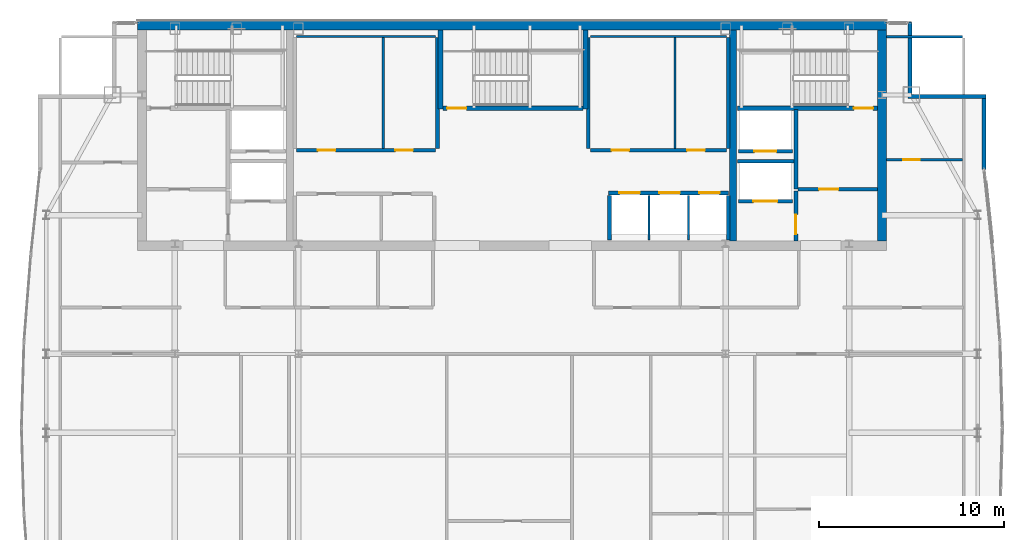
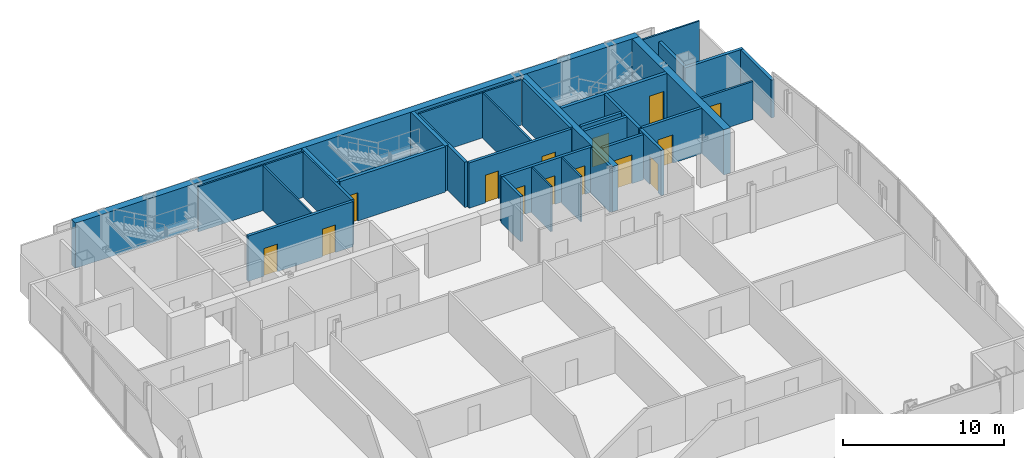
# One storey, part 24 of 27: 32 walls, 14 doors, 14 openings.
"""IFC4 building model written with IfcOpenShell, lengths in metres."""

from ifc_helpers import new_model, si_unit, direction, frame, frame_2d, origin, place, context, subcontext, project, spatial, rectangle, extrude, material, layer, layer_set, type_object, element, fill, save


model = new_model("IFC4")

# Units and contexts
model_context = context("Model", 3, precision=1e-05, world=origin(), true_north=direction((0.0, 1.0)))
body_context = subcontext(model_context, "Body", "Model", "MODEL_VIEW")
ifc_project = project(units=[si_unit("LENGTHUNIT", "METRE"), si_unit("AREAUNIT", "SQUARE_METRE"), si_unit("VOLUMEUNIT", "CUBIC_METRE"), si_unit("PLANEANGLEUNIT", "RADIAN"), si_unit("MASSUNIT", "GRAM", prefix="KILO")], contexts=[model_context])

# Site, building, storey
site_placement = place(None, origin())
site = spatial("IfcSite", under=ifc_project, at=site_placement, CompositionType="ELEMENT")
building_placement = place(site_placement, origin())
building = spatial("IfcBuilding", under=site, at=building_placement, Name="Khoronbel Lancet Exchange", CompositionType="ELEMENT")
storey_placement = place(building_placement, frame((0.0, 0.0, 343.39990234375)))
storey = spatial("IfcBuildingStorey", under=building, at=storey_placement, Name="L89", CompositionType="ELEMENT", Elevation=343.39990234375)

# Walls
ifc_material_1 = material(Name="Concrete C60/75", Category="concrete")
ifc_layer_1 = layer(ifc_material_1, 0.5, Name="Concrete C60/75")
ifc_layer_set_1 = layer_set([ifc_layer_1], Name="Concrete C60/75")
wall_type_1 = type_object("IfcWallType", Name="WL-CW4", PredefinedType="SHEAR", material=ifc_layer_set_1)
wall_1_placement = place(storey_placement, frame((16.199951171875, 53.449951171875, 0.0), z_axis=(0.0, 0.0, 1.0), x_axis=(1.0, 0.0, 0.0)))
element("IfcWall", 1, at=wall_1_placement, inside=storey, type_object=wall_type_1, Name="Level L89 rear core north shear wall", PredefinedType="SHEAR", context=body_context, shape_type="SweptSolid", body=[
    extrude(rectangle(XDim=40.5, YDim=0.5, at=frame_2d((20.25, 0.0))), origin(), (0.0, 0.0, 1.0), 3.440185546875),
])
wall_2_placement = place(storey_placement, frame((56.449951171875, 53.199951171875, 0.0), z_axis=(0.0, 0.0, 1.0), x_axis=(0.0, -1.0, 0.0)))
element("IfcWall", 2, at=wall_2_placement, inside=storey, type_object=wall_type_1, Name="Level L89 rear core east shear wall", PredefinedType="SHEAR", context=body_context, shape_type="SweptSolid", body=[
    extrude(rectangle(XDim=11.39990234375, YDim=0.5, at=frame_2d((5.699951171875, 0.0))), origin(), (0.0, 0.0, 1.0), 3.440185546875),
])
ifc_material_2 = material(Name="Precast concrete C40/50", Category="concrete")
ifc_layer_2 = layer(ifc_material_2, 0.25, Name="Precast concrete C40/50")
ifc_layer_set_2 = layer_set([ifc_layer_2], Name="Precast concrete C40/50")
wall_type_2 = type_object("IfcWallType", Name="WL-EXT250", PredefinedType="SOLIDWALL", material=ifc_layer_set_2)
wall_3_placement = place(storey_placement, frame((57.9599609375, 53.6298828125, 0.0), z_axis=(0.0, 0.0, 1.0), x_axis=(0.0, -1.0, 0.0)))
element("IfcWall", 3, at=wall_3_placement, inside=storey, type_object=wall_type_2, Name="Level L89 notched-corner limestone pier 14", PredefinedType="SOLIDWALL", context=body_context, shape_type="SweptSolid", body=[
    extrude(rectangle(XDim=3.909912109375, YDim=0.219970703125, at=frame_2d((1.955078125, 0.0))), origin(), (0.0, 0.0, 1.0), 2.880126953125),
])
wall_4_placement = place(storey_placement, frame((57.85009765625, 49.610107421875, 0.0), z_axis=(0.0, 0.0, 1.0), x_axis=(1.0, 0.0, 0.0)))
element("IfcWall", 4, at=wall_4_placement, inside=storey, type_object=wall_type_2, Name="Level L89 notched-corner limestone pier 15", PredefinedType="SOLIDWALL", context=body_context, shape_type="SweptSolid", body=[
    extrude(rectangle(XDim=4.219970703125, YDim=0.219970703125, at=frame_2d((2.10986328125, 0.0))), origin(), (0.0, 0.0, 1.0), 2.880126953125),
])
wall_5_placement = place(storey_placement, frame((61.9599609375, 49.5, 0.0), z_axis=(0.0, 0.0, 1.0), x_axis=(0.0, -1.0, 0.0)))
element("IfcWall", 5, at=wall_5_placement, inside=storey, type_object=wall_type_2, Name="Level L89 notched-corner limestone pier 16", PredefinedType="SOLIDWALL", context=body_context, shape_type="SweptSolid", body=[
    extrude(rectangle(XDim=3.82470703125, YDim=0.219970703125, at=frame_2d((1.912353515625, 0.0))), origin(), (0.0, 0.0, 1.0), 2.880126953125),
])

# Wall, opening, door
ifc_material_3 = material(Name="Acoustic Metal-Stud & Mineral-Wool Gypsum Partition 120 mm", Category="gypsum")
ifc_layer_3 = layer(ifc_material_3, 0.1201171875, Name="Acoustic Metal-Stud & Mineral-Wool Gypsum Partition 120 mm")
ifc_layer_set_3 = layer_set([ifc_layer_3], Name="Acoustic Metal-Stud & Mineral-Wool Gypsum Partition 120 mm")
wall_type_3 = type_object("IfcWallType", Name="WL-PRT120", PredefinedType="PARTITIONING", material=ifc_layer_set_3)
wall_6_placement = place(storey_placement, frame((56.699951171875, 46.199951171875, 0.0), z_axis=(0.0, 0.0, 1.0), x_axis=(1.0, 0.0, 0.0)))
wall_6 = element("IfcWall", 6, at=wall_6_placement, inside=storey, type_object=wall_type_3, Name="Level L89 interior partition PW-NE-H", PredefinedType="PARTITIONING", context=body_context, shape_type="SweptSolid", body=[
    extrude(rectangle(XDim=4.10498046875, YDim=0.14990234375, at=frame_2d((2.052490234375, 0.0))), origin(), (0.0, 0.0, 1.0), 2.880126953125),
])
opening_1_placement = place(wall_6_placement, frame((0.89990234375, 0.0, 0.0)))
opening_1 = element("IfcOpeningElement", 7, at=opening_1_placement, cuts=wall_6, Name="Opening D5", PredefinedType="OPENING", context=body_context, shape_type="SweptSolid", body=[
    extrude(rectangle(XDim=0.89990234375, YDim=2.050048828125, at=frame_2d((0.449951171875, 1.02490234375))), frame((0.0, 0.0849609375, 0.0), z_axis=(0.0, -1.0, 0.0), x_axis=(1.0, 0.0, 0.0)), (0.0, 0.0, 1.0), 0.169921875),
])
ifc_material_4 = material(Name="Acoustic Timber Pantry & Support Door", Category="wood")
door_type_1 = type_object("IfcDoorType", Name="DR-D5", OperationType="NOTDEFINED", PredefinedType="DOOR", material=ifc_material_4)
door_1_placement = place(opening_1_placement, origin())
door_1 = element("IfcDoor", 8, at=door_1_placement, inside=storey, type_object=door_type_1, Name="NE north room door L89-1", OperationType="SINGLE_SWING_LEFT", OverallHeight=2.050048828125, OverallWidth=0.89990234375, PredefinedType="DOOR", context=body_context, shape_type="SweptSolid", body=[
    extrude(rectangle(XDim=0.89990234375, YDim=2.050048828125, at=frame_2d((0.449951171875, 1.02490234375))), frame((0.0, 0.02490234375, 0.0), z_axis=(0.0, -1.0, 0.0), x_axis=(1.0, 0.0, 0.0)), (0.0, 0.0, 1.0), 0.050048828125),
])
fill(opening_1, door_1)

# Walls
wall_7_placement = place(storey_placement, frame((56.699951171875, 52.840087890625, 0.0), z_axis=(0.0, 0.0, 1.0), x_axis=(1.0, 0.0, 0.0)))
element("IfcWall", 9, at=wall_7_placement, inside=storey, type_object=wall_type_3, Name="Level L89 interior partition PW-LIN-NE", PredefinedType="PARTITIONING", context=body_context, shape_type="SweptSolid", body=[
    extrude(rectangle(XDim=4.10498046875, YDim=0.1201171875, at=frame_2d((2.052490234375, 0.0))), origin(), (0.0, 0.0, 1.0), 3.440185546875),
])
ifc_material_5 = material(Name="Fire-Rated Metal-Stud & Mineral-Wool Gypsum Partition 120 mm", Category="gypsum")
ifc_layer_4 = layer(ifc_material_5, 0.1201171875, Name="Fire-Rated Metal-Stud & Mineral-Wool Gypsum Partition 120 mm")
ifc_layer_set_4 = layer_set([ifc_layer_4], Name="Fire-Rated Metal-Stud & Mineral-Wool Gypsum Partition 120 mm")
wall_type_4 = type_object("IfcWallType", Name="WL-PRT120F", PredefinedType="PARTITIONING", material=ifc_layer_set_4)
wall_8_placement = place(storey_placement, frame((24.804931640625, 52.860107421875, 0.0), z_axis=(0.0, 0.0, 1.0), x_axis=(1.0, 0.0, 0.0)))
element("IfcWall", 10, at=wall_8_placement, inside=storey, type_object=wall_type_4, Name="Level L89 interior partition CW-PL-RN", PredefinedType="PARTITIONING", context=body_context, shape_type="SweptSolid", body=[
    extrude(rectangle(XDim=7.510009765625, YDim=0.1201171875, at=frame_2d((3.7548828125, 0.0))), origin(), (0.0, 0.0, 1.0), 3.440185546875),
])
wall_9_placement = place(storey_placement, frame((29.486328125, 46.804931640625, 0.0), z_axis=(0.0, 0.0, 1.0), x_axis=(0.0, 1.0, 0.0)))
element("IfcWall", 11, at=wall_9_placement, inside=storey, type_object=wall_type_4, Name="Level L89 interior partition CW-PL-RS2", PredefinedType="PARTITIONING", context=body_context, shape_type="SweptSolid", body=[
    extrude(rectangle(XDim=5.989990234375, YDim=0.1201171875, at=frame_2d((2.9951171875, 0.0))), origin(), (0.0, 0.0, 1.0), 3.440185546875),
])
wall_10_placement = place(storey_placement, frame((40.68505859375, 52.860107421875, 0.0), z_axis=(0.0, 0.0, 1.0), x_axis=(1.0, 0.0, 0.0)))
element("IfcWall", 12, at=wall_10_placement, inside=storey, type_object=wall_type_4, Name="Level L89 interior partition CW-PH-RN", PredefinedType="PARTITIONING", context=body_context, shape_type="SweptSolid", body=[
    extrude(rectangle(XDim=7.349853515625, YDim=0.1201171875, at=frame_2d((3.6748046875, 0.0))), origin(), (0.0, 0.0, 1.0), 3.440185546875),
])
wall_11_placement = place(storey_placement, frame((45.26708984375, 46.804931640625, 0.0), z_axis=(0.0, 0.0, 1.0), x_axis=(0.0, 1.0, 0.0)))
element("IfcWall", 13, at=wall_11_placement, inside=storey, type_object=wall_type_4, Name="Level L89 interior partition CW-PH-RS2", PredefinedType="PARTITIONING", context=body_context, shape_type="SweptSolid", body=[
    extrude(rectangle(XDim=5.989990234375, YDim=0.1201171875, at=frame_2d((2.9951171875, 0.0))), origin(), (0.0, 0.0, 1.0), 3.440185546875),
])
for number, where, z_axis, x_axis, name in (
    (14, (43.860107421875, 41.85009765625, 0.0), (0.0, 0.0, 1.0), (0.0, 1.0, 0.0), "Level L89 interior partition CW-PX-D1"),
    (15, (46.0, 41.85009765625, 0.0), (0.0, 0.0, 1.0), (0.0, 1.0, 0.0), "Level L89 interior partition CW-PX-D2"),
):
    element("IfcWall", number, at=place(storey_placement, frame(where, z_axis=z_axis, x_axis=x_axis)), inside=storey, type_object=wall_type_4, Name=name, PredefinedType="PARTITIONING", context=body_context, shape_type="SweptSolid", body=[
        extrude(rectangle(XDim=2.39990234375, YDim=0.1201171875, at=frame_2d((1.199951171875, 0.0))), origin(), (0.0, 0.0, 1.0), 3.440185546875),
    ])

# Wall, openings, doors
ifc_material_6 = material(Name="Autoclaved Aerated Concrete Blockwork 200 mm", Category="masonry")
ifc_layer_5 = layer(ifc_material_6, 0.199951171875, Name="Autoclaved Aerated Concrete Blockwork 200 mm")
ifc_layer_set_5 = layer_set([ifc_layer_5], Name="Autoclaved Aerated Concrete Blockwork 200 mm")
wall_type_5 = type_object("IfcWallType", Name="WL-PRT200", PredefinedType="PARTITIONING", material=ifc_layer_set_5)
wall_12_placement = place(storey_placement, frame((41.679931640625, 44.39990234375, 0.0), z_axis=(0.0, 0.0, 1.0), x_axis=(1.0, 0.0, 0.0)))
wall_12 = element("IfcWall", 16, at=wall_12_placement, inside=storey, type_object=wall_type_5, Name="Level L89 elevator hoistway landing front wall PXE", PredefinedType="PARTITIONING", context=body_context, shape_type="SweptSolid", body=[
    extrude(rectangle(XDim=6.47998046875, YDim=0.199951171875, at=frame_2d((3.239990234375, 0.0))), origin(), (0.0, 0.0, 1.0), 3.440185546875),
])
opening_2_placement = place(wall_12_placement, frame((0.580078125, 0.0, 0.0)))
opening_2 = element("IfcOpeningElement", 17, at=opening_2_placement, cuts=wall_12, Name="Opening LD-PX1", PredefinedType="OPENING", context=body_context, shape_type="SweptSolid", body=[
    extrude(rectangle(XDim=1.10009765625, YDim=2.179931640625, at=frame_2d((0.550048828125, 1.08984375))), frame((0.0, 0.10986328125, 0.0), z_axis=(0.0, -1.0, 0.0), x_axis=(1.0, 0.0, 0.0)), (0.0, 0.0, 1.0), 0.219970703125),
])
opening_3_placement = place(wall_12_placement, frame((2.739990234375, 0.0, 0.0)))
opening_3 = element("IfcOpeningElement", 18, at=opening_3_placement, cuts=wall_12, Name="Opening LD-PX2", PredefinedType="OPENING", context=body_context, shape_type="SweptSolid", body=[
    extrude(rectangle(XDim=1.10009765625, YDim=2.179931640625, at=frame_2d((0.550048828125, 1.08984375))), frame((0.0, 0.10986328125, 0.0), z_axis=(0.0, -1.0, 0.0), x_axis=(1.0, 0.0, 0.0)), (0.0, 0.0, 1.0), 0.219970703125),
])
opening_4_placement = place(wall_12_placement, frame((4.89990234375, 0.0, 0.0)))
opening_4 = element("IfcOpeningElement", 19, at=opening_4_placement, cuts=wall_12, Name="Opening LD-PX3", PredefinedType="OPENING", context=body_context, shape_type="SweptSolid", body=[
    extrude(rectangle(XDim=1.10009765625, YDim=2.179931640625, at=frame_2d((0.550048828125, 1.08984375))), frame((0.0, 0.10986328125, 0.0), z_axis=(0.0, -1.0, 0.0), x_axis=(1.0, 0.0, 0.0)), (0.0, 0.0, 1.0), 0.219970703125),
])
ifc_material_7 = material(Name="Brushed Bronze Bi-Parting Elevator Landing Door", Category="steel")
door_type_2 = type_object("IfcDoorType", Name="DR-LD-PAX", OperationType="NOTDEFINED", PredefinedType="DOOR", material=ifc_material_7)
door_2_placement = place(opening_2_placement, origin())
door_2 = element("IfcDoor", 20, at=door_2_placement, inside=storey, type_object=door_type_2, Name="Elevator landing sliding door LD-PX1 L89", OperationType="SLIDING_TO_LEFT", OverallHeight=2.179931640625, OverallWidth=1.10009765625, PredefinedType="DOOR", context=body_context, shape_type="SweptSolid", body=[
    extrude(rectangle(XDim=1.10009765625, YDim=2.179931640625, at=frame_2d((0.550048828125, 1.08984375))), frame((0.0, 0.02490234375, 0.0), z_axis=(0.0, -1.0, 0.0), x_axis=(1.0, 0.0, 0.0)), (0.0, 0.0, 1.0), 0.050048828125),
])
fill(opening_2, door_2)
door_3_placement = place(opening_3_placement, origin())
door_3 = element("IfcDoor", 21, at=door_3_placement, inside=storey, type_object=door_type_2, Name="Elevator landing sliding door LD-PX2 L89", OperationType="SLIDING_TO_LEFT", OverallHeight=2.179931640625, OverallWidth=1.10009765625, PredefinedType="DOOR", context=body_context, shape_type="SweptSolid", body=[
    extrude(rectangle(XDim=1.10009765625, YDim=2.179931640625, at=frame_2d((0.550048828125, 1.08984375))), frame((0.0, 0.02490234375, 0.0), z_axis=(0.0, -1.0, 0.0), x_axis=(1.0, 0.0, 0.0)), (0.0, 0.0, 1.0), 0.050048828125),
])
fill(opening_3, door_3)
door_4_placement = place(opening_4_placement, origin())
door_4 = element("IfcDoor", 22, at=door_4_placement, inside=storey, type_object=door_type_2, Name="Elevator landing sliding door LD-PX3 L89", OperationType="SLIDING_TO_LEFT", OverallHeight=2.179931640625, OverallWidth=1.10009765625, PredefinedType="DOOR", context=body_context, shape_type="SweptSolid", body=[
    extrude(rectangle(XDim=1.10009765625, YDim=2.179931640625, at=frame_2d((0.550048828125, 1.08984375))), frame((0.0, 0.02490234375, 0.0), z_axis=(0.0, -1.0, 0.0), x_axis=(1.0, 0.0, 0.0)), (0.0, 0.0, 1.0), 0.050048828125),
])
fill(opening_4, door_4)

# Wall, opening, door
wall_13_placement = place(storey_placement, frame((51.610107421875, 43.949951171875, 0.0), z_axis=(0.0, 0.0, 1.0), x_axis=(-1.0, 0.0, 0.0)))
wall_13 = element("IfcWall", 23, at=wall_13_placement, inside=storey, type_object=wall_type_5, Name="Level L89 elevator hoistway landing front wall SVLE", PredefinedType="PARTITIONING", context=body_context, shape_type="SweptSolid", body=[
    extrude(rectangle(XDim=2.920166015625, YDim=0.199951171875, at=frame_2d((1.4599609375, 0.0))), origin(), (0.0, 0.0, 1.0), 3.440185546875),
])
opening_5_placement = place(wall_13_placement, frame((0.81005859375, 0.0, 0.0)))
opening_5 = element("IfcOpeningElement", 24, at=opening_5_placement, cuts=wall_13, Name="Opening LD-SVL2", PredefinedType="OPENING", context=body_context, shape_type="SweptSolid", body=[
    extrude(rectangle(XDim=1.300048828125, YDim=2.179931640625, at=frame_2d((0.64990234375, 1.08984375))), frame((0.0, 0.10986328125, 0.0), z_axis=(0.0, -1.0, 0.0), x_axis=(1.0, 0.0, 0.0)), (0.0, 0.0, 1.0), 0.219970703125),
])
ifc_material_8 = material(Name="Heavy-Duty Bi-Parting Goods Lift Landing Door", Category="steel")
door_type_3 = type_object("IfcDoorType", Name="DR-LD-SVL", OperationType="NOTDEFINED", PredefinedType="DOOR", material=ifc_material_8)
door_5_placement = place(opening_5_placement, origin())
door_5 = element("IfcDoor", 25, at=door_5_placement, inside=storey, type_object=door_type_3, Name="Elevator landing sliding door LD-SVL2 L89", OperationType="SLIDING_TO_LEFT", OverallHeight=2.179931640625, OverallWidth=1.300048828125, PredefinedType="DOOR", context=body_context, shape_type="SweptSolid", body=[
    extrude(rectangle(XDim=1.300048828125, YDim=2.179931640625, at=frame_2d((0.64990234375, 1.08984375))), frame((0.0, 0.02490234375, 0.0), z_axis=(0.0, -1.0, 0.0), x_axis=(1.0, 0.0, 0.0)), (0.0, 0.0, 1.0), 0.050048828125),
])
fill(opening_5, door_5)

wall_14_placement = place(storey_placement, frame((51.610107421875, 46.64990234375, 0.0), z_axis=(0.0, 0.0, 1.0), x_axis=(-1.0, 0.0, 0.0)))
wall_14 = element("IfcWall", 26, at=wall_14_placement, inside=storey, type_object=wall_type_5, Name="Level L89 elevator hoistway landing front wall FFLE", PredefinedType="PARTITIONING", context=body_context, shape_type="SweptSolid", body=[
    extrude(rectangle(XDim=2.920166015625, YDim=0.199951171875, at=frame_2d((1.4599609375, 0.0))), origin(), (0.0, 0.0, 1.0), 3.440185546875),
])
opening_6_placement = place(wall_14_placement, frame((0.860107421875, 0.0, 0.0)))
opening_6 = element("IfcOpeningElement", 27, at=opening_6_placement, cuts=wall_14, Name="Opening LD-FFL2", PredefinedType="OPENING", context=body_context, shape_type="SweptSolid", body=[
    extrude(rectangle(XDim=1.199951171875, YDim=2.179931640625, at=frame_2d((0.60009765625, 1.08984375))), frame((0.0, 0.10986328125, 0.0), z_axis=(0.0, -1.0, 0.0), x_axis=(1.0, 0.0, 0.0)), (0.0, 0.0, 1.0), 0.219970703125),
])
ifc_material_9 = material(Name="Fire-Rated Stainless Bi-Parting Firefighting Lift Door", Category="steel")
door_type_4 = type_object("IfcDoorType", Name="DR-LD-FFL", OperationType="NOTDEFINED", PredefinedType="DOOR", material=ifc_material_9)
door_6_placement = place(opening_6_placement, origin())
door_6 = element("IfcDoor", 28, at=door_6_placement, inside=storey, type_object=door_type_4, Name="Elevator landing sliding door LD-FFL2 L89", OperationType="SLIDING_TO_LEFT", OverallHeight=2.179931640625, OverallWidth=1.199951171875, PredefinedType="DOOR", context=body_context, shape_type="SweptSolid", body=[
    extrude(rectangle(XDim=1.199951171875, YDim=2.179931640625, at=frame_2d((0.60009765625, 1.08984375))), frame((0.0, 0.02490234375, 0.0), z_axis=(0.0, -1.0, 0.0), x_axis=(1.0, 0.0, 0.0)), (0.0, 0.0, 1.0), 0.050048828125),
])
fill(opening_6, door_6)

# Wall
wall_15_placement = place(storey_placement, frame((51.800048828125, 44.60009765625, 0.0), z_axis=(0.0, 0.0, 1.0), x_axis=(0.0, 1.0, 0.0)))
element("IfcWall", 29, at=wall_15_placement, inside=storey, type_object=wall_type_5, Name="Level L89 interior partition CW-FFLE-W", PredefinedType="PARTITIONING", context=body_context, shape_type="SweptSolid", body=[
    extrude(rectangle(XDim=4.2998046875, YDim=0.199951171875, at=frame_2d((2.14990234375, 0.0))), origin(), (0.0, 0.0, 1.0), 3.440185546875),
])

# Wall, opening, door
wall_16_placement = place(storey_placement, frame((51.89990234375, 44.60009765625, 0.0), z_axis=(0.0, 0.0, 1.0), x_axis=(1.0, 0.0, 0.0)))
wall_16 = element("IfcWall", 30, at=wall_16_placement, inside=storey, type_object=wall_type_5, Name="Level L89 interior partition CW-FFLE-S", PredefinedType="PARTITIONING", context=body_context, shape_type="SweptSolid", body=[
    extrude(rectangle(XDim=4.300048828125, YDim=0.199951171875, at=frame_2d((2.14990234375, 0.0))), origin(), (0.0, 0.0, 1.0), 3.440185546875),
])
opening_7_placement = place(wall_16_placement, frame((1.14990234375, 0.0, 0.0)))
opening_7 = element("IfcOpeningElement", 31, at=opening_7_placement, cuts=wall_16, Name="Opening FD1", PredefinedType="OPENING", context=body_context, shape_type="SweptSolid", body=[
    extrude(rectangle(XDim=1.050048828125, YDim=2.14990234375, at=frame_2d((0.52490234375, 1.074951171875))), frame((0.0, 0.10986328125, 0.0), z_axis=(0.0, -1.0, 0.0), x_axis=(1.0, 0.0, 0.0)), (0.0, 0.0, 1.0), 0.219970703125),
])
ifc_material_10 = material(Name="Fire-Rated Painted Steel Door Assembly", Category="steel")
door_type_5 = type_object("IfcDoorType", Name="DR-FD1", OperationType="NOTDEFINED", PredefinedType="DOOR", material=ifc_material_10)
door_7_placement = place(opening_7_placement, origin())
door_7 = element("IfcDoor", 32, at=door_7_placement, inside=storey, type_object=door_type_5, Name="East firefighting lobby FD90S door L89-1", OperationType="SINGLE_SWING_LEFT", OverallHeight=2.14990234375, OverallWidth=1.050048828125, PredefinedType="DOOR", context=body_context, shape_type="SweptSolid", body=[
    extrude(rectangle(XDim=1.050048828125, YDim=2.14990234375, at=frame_2d((0.52490234375, 1.074951171875))), frame((0.0, 0.02490234375, 0.0), z_axis=(0.0, -1.0, 0.0), x_axis=(1.0, 0.0, 0.0)), (0.0, 0.0, 1.0), 0.050048828125),
])
fill(opening_7, door_7)

# Wall
wall_17_placement = place(storey_placement, frame((48.6298828125, 46.1201171875, 0.0), z_axis=(0.0, 0.0, 1.0), x_axis=(1.0, 0.0, 0.0)))
element("IfcWall", 33, at=wall_17_placement, inside=storey, type_object=wall_type_5, Name="Level L89 interior partition CW-FFL2-S", PredefinedType="PARTITIONING", context=body_context, shape_type="SweptSolid", body=[
    extrude(rectangle(XDim=3.070068359375, YDim=0.199951171875, at=frame_2d((1.53515625, 0.0))), origin(), (0.0, 0.0, 1.0), 3.440185546875),
])

# Wall, opening, door
wall_18_placement = place(storey_placement, frame((51.800048828125, 41.800048828125, 0.0), z_axis=(0.0, 0.0, 1.0), x_axis=(0.0, 1.0, 0.0)))
wall_18 = element("IfcWall", 34, at=wall_18_placement, inside=storey, type_object=wall_type_5, Name="Level L89 interior partition CW-SVLE-E", PredefinedType="PARTITIONING", context=body_context, shape_type="SweptSolid", body=[
    extrude(rectangle(XDim=2.695068359375, YDim=0.199951171875, at=frame_2d((1.34765625, 0.0))), origin(), (0.0, 0.0, 1.0), 3.440185546875),
])
opening_8_placement = place(wall_18_placement, frame((0.3798828125, 0.0, 0.0)))
opening_8 = element("IfcOpeningElement", 35, at=opening_8_placement, cuts=wall_18, Name="Opening FD1", PredefinedType="OPENING", context=body_context, shape_type="SweptSolid", body=[
    extrude(rectangle(XDim=1.050048828125, YDim=2.14990234375, at=frame_2d((0.52490234375, 1.074951171875))), frame((0.0, 0.10986328125, 0.0), z_axis=(0.0, -1.0, 0.0), x_axis=(1.0, 0.0, 0.0)), (0.0, 0.0, 1.0), 0.219970703125),
])
door_8_placement = place(opening_8_placement, origin())
door_8 = element("IfcDoor", 36, at=door_8_placement, inside=storey, type_object=door_type_5, Name="East service lift lobby door L89-1", OperationType="SINGLE_SWING_RIGHT", OverallHeight=2.14990234375, OverallWidth=1.050048828125, PredefinedType="DOOR", context=body_context, shape_type="SweptSolid", body=[
    extrude(rectangle(XDim=1.050048828125, YDim=2.14990234375, at=frame_2d((0.52490234375, 1.074951171875))), frame((0.0, 0.02490234375, 0.0), z_axis=(0.0, -1.0, 0.0), x_axis=(1.0, 0.0, 0.0)), (0.0, 0.0, 1.0), 0.050048828125),
])
fill(opening_8, door_8)

# Wall
wall_19_placement = place(storey_placement, frame((32.419921875, 46.804931640625, 0.0), z_axis=(0.0, 0.0, 1.0), x_axis=(0.0, 1.0, 0.0)))
element("IfcWall", 37, at=wall_19_placement, inside=storey, type_object=wall_type_5, Name="Level L89 interior partition CW-PL-RE", PredefinedType="PARTITIONING", context=body_context, shape_type="SweptSolid", body=[
    extrude(rectangle(XDim=5.989990234375, YDim=0.199951171875, at=frame_2d((2.9951171875, 0.0))), origin(), (0.0, 0.0, 1.0), 3.440185546875),
])

# Wall, openings, doors
wall_20_placement = place(storey_placement, frame((24.804931640625, 46.699951171875, 0.0), z_axis=(0.0, 0.0, 1.0), x_axis=(1.0, 0.0, 0.0)))
wall_20 = element("IfcWall", 38, at=wall_20_placement, inside=storey, type_object=wall_type_5, Name="Level L89 interior partition CW-PL-RF", PredefinedType="PARTITIONING", context=body_context, shape_type="SweptSolid", body=[
    extrude(rectangle(XDim=7.510009765625, YDim=0.199951171875, at=frame_2d((3.7548828125, 0.0))), origin(), (0.0, 0.0, 1.0), 3.440185546875),
])
opening_9_placement = place(wall_20_placement, frame((1.14990234375, 0.0, 0.0)))
opening_9 = element("IfcOpeningElement", 39, at=opening_9_placement, cuts=wall_20, Name="Opening FD3", PredefinedType="OPENING", context=body_context, shape_type="SweptSolid", body=[
    extrude(rectangle(XDim=0.949951171875, YDim=2.10009765625, at=frame_2d((0.47509765625, 1.050048828125))), frame((0.0, 0.10986328125, 0.0), z_axis=(0.0, -1.0, 0.0), x_axis=(1.0, 0.0, 0.0)), (0.0, 0.0, 1.0), 0.219970703125),
])
opening_10_placement = place(wall_20_placement, frame((5.33642578125, 0.0, 0.0)))
opening_10 = element("IfcOpeningElement", 40, at=opening_10_placement, cuts=wall_20, Name="Opening FD3", PredefinedType="OPENING", context=body_context, shape_type="SweptSolid", body=[
    extrude(rectangle(XDim=0.949951171875, YDim=2.10009765625, at=frame_2d((0.47509765625, 1.050048828125))), frame((0.0, 0.10986328125, 0.0), z_axis=(0.0, -1.0, 0.0), x_axis=(1.0, 0.0, 0.0)), (0.0, 0.0, 1.0), 0.219970703125),
])
ifc_material_11 = material(Name="Fire-Rated Steel Plant & Riser Door Assembly", Category="steel")
door_type_6 = type_object("IfcDoorType", Name="DR-FD3", OperationType="NOTDEFINED", PredefinedType="DOOR", material=ifc_material_11)
door_9_placement = place(opening_9_placement, origin())
door_9 = element("IfcDoor", 41, at=door_9_placement, inside=storey, type_object=door_type_6, Name="Reclaimed PL C door L89-1", OperationType="SINGLE_SWING_LEFT", OverallHeight=2.10009765625, OverallWidth=0.949951171875, PredefinedType="DOOR", context=body_context, shape_type="SweptSolid", body=[
    extrude(rectangle(XDim=0.949951171875, YDim=2.10009765625, at=frame_2d((0.47509765625, 1.050048828125))), frame((0.0, 0.02490234375, 0.0), z_axis=(0.0, -1.0, 0.0), x_axis=(1.0, 0.0, 0.0)), (0.0, 0.0, 1.0), 0.050048828125),
])
fill(opening_9, door_9)
door_10_placement = place(opening_10_placement, origin())
door_10 = element("IfcDoor", 42, at=door_10_placement, inside=storey, type_object=door_type_6, Name="Reclaimed PL D door L89-2", OperationType="SINGLE_SWING_RIGHT", OverallHeight=2.10009765625, OverallWidth=0.949951171875, PredefinedType="DOOR", context=body_context, shape_type="SweptSolid", body=[
    extrude(rectangle(XDim=0.949951171875, YDim=2.10009765625, at=frame_2d((0.47509765625, 1.050048828125))), frame((0.0, 0.02490234375, 0.0), z_axis=(0.0, -1.0, 0.0), x_axis=(1.0, 0.0, 0.0)), (0.0, 0.0, 1.0), 0.050048828125),
])
fill(opening_10, door_10)

# Walls
for number, where, z_axis, x_axis, name in (
    (43, (40.580078125, 46.804931640625, 0.0), (0.0, 0.0, 1.0), (0.0, 1.0, 0.0), "Level L89 interior partition CW-PH-RW"),
    (44, (48.139892578125, 46.804931640625, 0.0), (0.0, 0.0, 1.0), (0.0, 1.0, 0.0), "Level L89 interior partition CW-PH-RE"),
):
    element("IfcWall", number, at=place(storey_placement, frame(where, z_axis=z_axis, x_axis=x_axis)), inside=storey, type_object=wall_type_5, Name=name, PredefinedType="PARTITIONING", context=body_context, shape_type="SweptSolid", body=[
        extrude(rectangle(XDim=5.989990234375, YDim=0.199951171875, at=frame_2d((2.9951171875, 0.0))), origin(), (0.0, 0.0, 1.0), 3.440185546875),
    ])

# Wall, openings, doors
wall_21_placement = place(storey_placement, frame((40.68505859375, 46.699951171875, 0.0), z_axis=(0.0, 0.0, 1.0), x_axis=(1.0, 0.0, 0.0)))
wall_21 = element("IfcWall", 45, at=wall_21_placement, inside=storey, type_object=wall_type_5, Name="Level L89 interior partition CW-PH-RF", PredefinedType="PARTITIONING", context=body_context, shape_type="SweptSolid", body=[
    extrude(rectangle(XDim=7.349853515625, YDim=0.199951171875, at=frame_2d((3.6748046875, 0.0))), origin(), (0.0, 0.0, 1.0), 3.440185546875),
])
opening_11_placement = place(wall_21_placement, frame((1.14990234375, 0.0, 0.0)))
opening_11 = element("IfcOpeningElement", 46, at=opening_11_placement, cuts=wall_21, Name="Opening FD3", PredefinedType="OPENING", context=body_context, shape_type="SweptSolid", body=[
    extrude(rectangle(XDim=0.949951171875, YDim=2.10009765625, at=frame_2d((0.47509765625, 1.050048828125))), frame((0.0, 0.10986328125, 0.0), z_axis=(0.0, -1.0, 0.0), x_axis=(1.0, 0.0, 0.0)), (0.0, 0.0, 1.0), 0.219970703125),
])
opening_12_placement = place(wall_21_placement, frame((5.2373046875, 0.0, 0.0)))
opening_12 = element("IfcOpeningElement", 47, at=opening_12_placement, cuts=wall_21, Name="Opening FD3", PredefinedType="OPENING", context=body_context, shape_type="SweptSolid", body=[
    extrude(rectangle(XDim=0.949951171875, YDim=2.10009765625, at=frame_2d((0.47509765625, 1.050048828125))), frame((0.0, 0.10986328125, 0.0), z_axis=(0.0, -1.0, 0.0), x_axis=(1.0, 0.0, 0.0)), (0.0, 0.0, 1.0), 0.219970703125),
])
door_11_placement = place(opening_11_placement, origin())
door_11 = element("IfcDoor", 48, at=door_11_placement, inside=storey, type_object=door_type_6, Name="Reclaimed PH C door L89-1", OperationType="SINGLE_SWING_LEFT", OverallHeight=2.10009765625, OverallWidth=0.949951171875, PredefinedType="DOOR", context=body_context, shape_type="SweptSolid", body=[
    extrude(rectangle(XDim=0.949951171875, YDim=2.10009765625, at=frame_2d((0.47509765625, 1.050048828125))), frame((0.0, 0.02490234375, 0.0), z_axis=(0.0, -1.0, 0.0), x_axis=(1.0, 0.0, 0.0)), (0.0, 0.0, 1.0), 0.050048828125),
])
fill(opening_11, door_11)
door_12_placement = place(opening_12_placement, origin())
door_12 = element("IfcDoor", 49, at=door_12_placement, inside=storey, type_object=door_type_6, Name="Reclaimed PH D door L89-2", OperationType="SINGLE_SWING_RIGHT", OverallHeight=2.10009765625, OverallWidth=0.949951171875, PredefinedType="DOOR", context=body_context, shape_type="SweptSolid", body=[
    extrude(rectangle(XDim=0.949951171875, YDim=2.10009765625, at=frame_2d((0.47509765625, 1.050048828125))), frame((0.0, 0.02490234375, 0.0), z_axis=(0.0, -1.0, 0.0), x_axis=(1.0, 0.0, 0.0)), (0.0, 0.0, 1.0), 0.050048828125),
])
fill(opening_12, door_12)

# Walls
for number, where, z_axis, x_axis, name in (
    (50, (41.719970703125, 41.85009765625, 0.0), (0.0, 0.0, 1.0), (0.0, 1.0, 0.0), "Level L89 interior partition CW-PX-W"),
    (51, (48.139892578125, 41.85009765625, 0.0), (0.0, 0.0, 1.0), (0.0, 1.0, 0.0), "Level L89 interior partition CW-PX-E"),
):
    element("IfcWall", number, at=place(storey_placement, frame(where, z_axis=z_axis, x_axis=x_axis)), inside=storey, type_object=wall_type_5, Name=name, PredefinedType="PARTITIONING", context=body_context, shape_type="SweptSolid", body=[
        extrude(rectangle(XDim=2.39990234375, YDim=0.199951171875, at=frame_2d((1.199951171875, 0.0))), origin(), (0.0, 0.0, 1.0), 3.440185546875),
    ])
ifc_layer_6 = layer(ifc_material_1, 0.39990234375, Name="Concrete C60/75")
ifc_layer_set_6 = layer_set([ifc_layer_6], Name="Concrete C60/75")
wall_type_6 = type_object("IfcWallType", Name="WL-SW2", PredefinedType="SHEAR", material=ifc_layer_set_6)
wall_22_placement = place(storey_placement, frame((48.39990234375, 41.800048828125, 0.0), z_axis=(0.0, 0.0, 1.0), x_axis=(0.0, 1.0, 0.0)))
element("IfcWall", 52, at=wall_22_placement, inside=storey, type_object=wall_type_6, Name="Level L89 rear core internal spine shear wall IE", PredefinedType="SHEAR", context=body_context, shape_type="SweptSolid", body=[
    extrude(rectangle(XDim=11.39990234375, YDim=0.39990234375, at=frame_2d((5.699951171875, 0.0))), origin(), (0.0, 0.0, 1.0), 3.440185546875),
])
ifc_layer_7 = layer(ifc_material_1, 0.260009765625, Name="Concrete C60/75")
ifc_layer_set_7 = layer_set([ifc_layer_7], Name="Concrete C60/75")
wall_type_7 = type_object("IfcWallType", Name="WL-SW3", PredefinedType="SHEAR", material=ifc_layer_set_7)
for number, where, z_axis, x_axis, name in (
    (53, (32.580078125, 48.949951171875, 0.0), (0.0, 0.0, 1.0), (0.0, 1.0, 0.0), "Level L89 central stairwell structural shear wall ST3W"),
    (54, (40.419921875, 48.949951171875, 0.0), (0.0, 0.0, 1.0), (0.0, 1.0, 0.0), "Level L89 central stairwell structural shear wall ST3E"),
):
    element("IfcWall", number, at=place(storey_placement, frame(where, z_axis=z_axis, x_axis=x_axis)), inside=storey, type_object=wall_type_7, Name=name, PredefinedType="SHEAR", context=body_context, shape_type="SweptSolid", body=[
        extrude(rectangle(XDim=4.25, YDim=0.260009765625, at=frame_2d((2.125, 0.0))), origin(), (0.0, 0.0, 1.0), 3.440185546875),
    ])

# Wall, opening, door
wall_23_placement = place(storey_placement, frame((48.6298828125, 48.97998046875, 0.0), z_axis=(0.0, 0.0, 1.0), x_axis=(1.0, 0.0, 0.0)))
wall_23 = element("IfcWall", 55, at=wall_23_placement, inside=storey, type_object=wall_type_7, Name="Level L89 east stairwell structural south wall", PredefinedType="SHEAR", context=body_context, shape_type="SweptSolid", body=[
    extrude(rectangle(XDim=7.570068359375, YDim=0.239990234375, at=frame_2d((3.78515625, 0.0))), origin(), (0.0, 0.0, 1.0), 3.440185546875),
])
opening_13_placement = place(wall_23_placement, frame((6.300048828125, 0.0, 0.0)))
opening_13 = element("IfcOpeningElement", 56, at=opening_13_placement, cuts=wall_23, Name="Opening SD1", PredefinedType="OPENING", context=body_context, shape_type="SweptSolid", body=[
    extrude(rectangle(XDim=1.050048828125, YDim=2.14990234375, at=frame_2d((0.52490234375, 1.074951171875))), frame((0.0, 0.1298828125, 0.0), z_axis=(0.0, -1.0, 0.0), x_axis=(1.0, 0.0, 0.0)), (0.0, 0.0, 1.0), 0.260009765625),
])
ifc_material_12 = material(Name="Fire-Rated Steel Stairwell Door Assembly", Category="steel")
door_type_7 = type_object("IfcDoorType", Name="DR-SD1", OperationType="NOTDEFINED", PredefinedType="DOOR", material=ifc_material_12)
door_13_placement = place(opening_13_placement, origin())
door_13 = element("IfcDoor", 57, at=door_13_placement, inside=storey, type_object=door_type_7, Name="Protected exit stair ST2 door L89", OperationType="SINGLE_SWING_RIGHT", OverallHeight=2.14990234375, OverallWidth=1.050048828125, PredefinedType="DOOR", context=body_context, shape_type="SweptSolid", body=[
    extrude(rectangle(XDim=1.050048828125, YDim=2.14990234375, at=frame_2d((0.52490234375, 1.074951171875))), frame((0.0, 0.02490234375, 0.0), z_axis=(0.0, -1.0, 0.0), x_axis=(1.0, 0.0, 0.0)), (0.0, 0.0, 1.0), 0.050048828125),
])
fill(opening_13, door_13)

wall_24_placement = place(storey_placement, frame((32.719970703125, 48.97998046875, 0.0), z_axis=(0.0, 0.0, 1.0), x_axis=(1.0, 0.0, 0.0)))
wall_24 = element("IfcWall", 58, at=wall_24_placement, inside=storey, type_object=wall_type_7, Name="Level L89 central stairwell structural south wall", PredefinedType="SHEAR", context=body_context, shape_type="SweptSolid", body=[
    extrude(rectangle(XDim=7.56005859375, YDim=0.239990234375, at=frame_2d((3.780029296875, 0.0))), origin(), (0.0, 0.0, 1.0), 3.440185546875),
])
opening_14_placement = place(wall_24_placement, frame((0.219970703125, 0.0, 0.0)))
opening_14 = element("IfcOpeningElement", 59, at=opening_14_placement, cuts=wall_24, Name="Opening SD1", PredefinedType="OPENING", context=body_context, shape_type="SweptSolid", body=[
    extrude(rectangle(XDim=1.050048828125, YDim=2.14990234375, at=frame_2d((0.52490234375, 1.074951171875))), frame((0.0, 0.1298828125, 0.0), z_axis=(0.0, -1.0, 0.0), x_axis=(1.0, 0.0, 0.0)), (0.0, 0.0, 1.0), 0.260009765625),
])
door_14_placement = place(opening_14_placement, origin())
door_14 = element("IfcDoor", 60, at=door_14_placement, inside=storey, type_object=door_type_7, Name="Protected exit stair ST3 door L89", OperationType="SINGLE_SWING_LEFT", OverallHeight=2.14990234375, OverallWidth=1.050048828125, PredefinedType="DOOR", context=body_context, shape_type="SweptSolid", body=[
    extrude(rectangle(XDim=1.050048828125, YDim=2.14990234375, at=frame_2d((0.52490234375, 1.074951171875))), frame((0.0, 0.02490234375, 0.0), z_axis=(0.0, -1.0, 0.0), x_axis=(1.0, 0.0, 0.0)), (0.0, 0.0, 1.0), 0.050048828125),
])
fill(opening_14, door_14)

save(model, "model.ifc")
